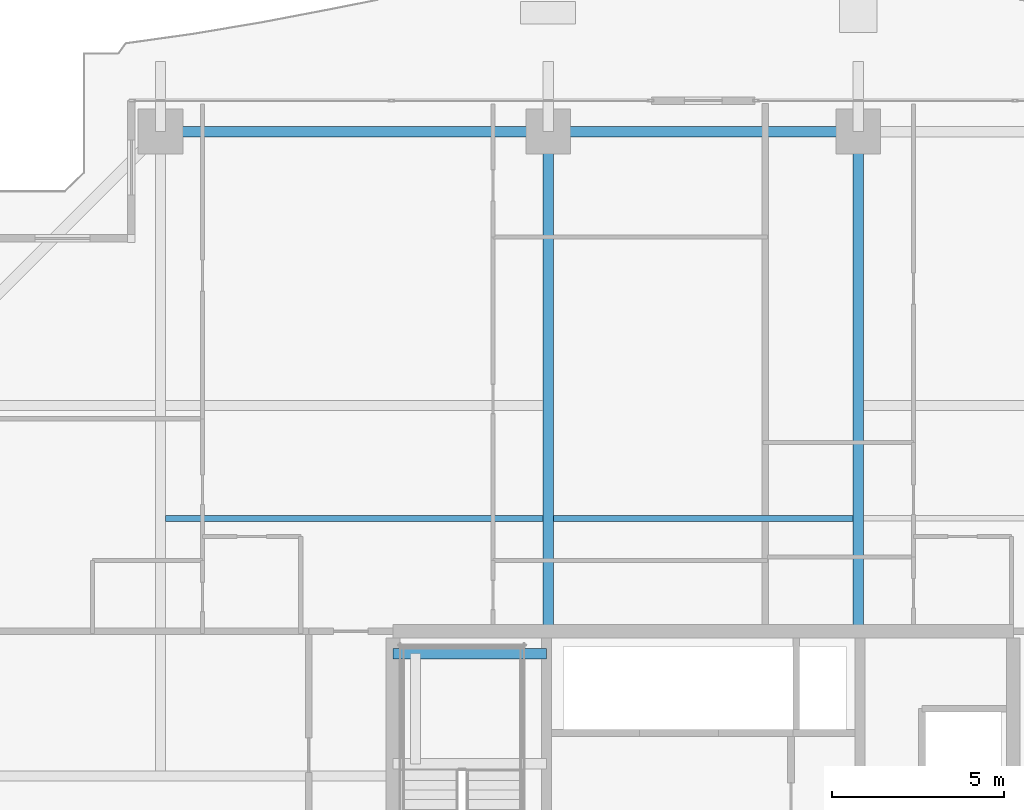
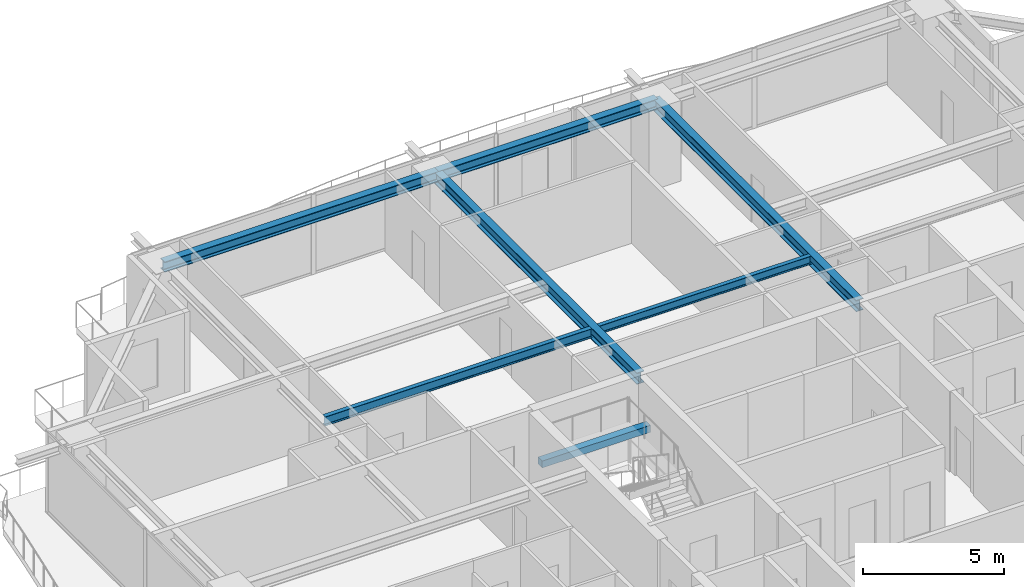
# One storey, part 20 of 38: 7 beams.
"""IFC4 building model written with IfcOpenShell, lengths in metres."""

import ifcopenshell
import ifcopenshell.guid

model = None  # the IFC model being written
_history = None  # IfcOwnerHistory: only IFC2X3 demands one
_inside = {}  # id of a spatial element -> (the spatial element, [elements in it])
_under = {}  # id of a project, library or spatial element -> (it, [spatial elements below it])
_declared = {}  # id of a project -> (the project, [libraries it declares])
_typed = {}  # id of a type object -> (the type object, [elements of that type])
_made_of = {}  # id of a material, layer set ... -> (it, [elements and type objects made of it])


def new_model(schema):
    """Start an empty IFC model of exactly this schema.

    Asked for "IFC4X3", IfcOpenShell would pick the latest addendum, in which some entities
    have other attributes; the version numbers below select the first issue.
    IFC2X3 requires an IfcOwnerHistory on every rooted entity: one is made here for all.
    """
    global model, _history
    if schema == "IFC4X3":
        model = ifcopenshell.file(schema_version=(4, 3, 0, 0))
    else:
        model = ifcopenshell.file(schema=schema)
    _inside.clear()
    _under.clear()
    _declared.clear()
    _typed.clear()
    _made_of.clear()
    _history = None
    if model.schema == "IFC2X3":
        org = make("IfcOrganization", Name="unknown")
        user = make(
            "IfcPersonAndOrganization",
            ThePerson=make("IfcPerson", FamilyName="unknown"),
            TheOrganization=org,
        )
        app = make(
            "IfcApplication",
            ApplicationDeveloper=org,
            Version="unknown",
            ApplicationFullName="unknown",
            ApplicationIdentifier="unknown",
        )
        _history = make(
            "IfcOwnerHistory",
            OwningUser=user,
            OwningApplication=app,
            ChangeAction="ADDED",
            CreationDate=0,
        )
    return model


def make(cls, **values):
    """One entity of the class cls with the attributes given. An attribute that is None is left unset."""
    return model.create_entity(
        cls, **{name: value for name, value in values.items() if value is not None}
    )


def rooted(cls, **values):
    """An entity with a GlobalId (a new one), such as an element, a storey or a relation."""
    return make(cls, GlobalId=ifcopenshell.guid.new(), OwnerHistory=_history, **values)


def si_unit(unit_type, name, prefix=None):
    """IfcSIUnit, for example si_unit("LENGTHUNIT", "METRE", prefix="MILLI")."""
    return make("IfcSIUnit", UnitType=unit_type, Prefix=prefix, Name=name)


def assignment(units):
    """IfcUnitAssignment: the units of a project."""
    return None if units is None else make("IfcUnitAssignment", Units=units)


def point(xyz):
    """IfcCartesianPoint."""
    return None if xyz is None else make("IfcCartesianPoint", Coordinates=xyz)


def direction(xyz):
    """IfcDirection."""
    return None if xyz is None else make("IfcDirection", DirectionRatios=xyz)


def frame(location, z_axis=None, x_axis=None):
    """IfcAxis2Placement3D, a coordinate frame: its origin and axes. An axis left out is left unset."""
    return make(
        "IfcAxis2Placement3D",
        Location=point(location),
        Axis=direction(z_axis),
        RefDirection=direction(x_axis),
    )


def frame_2d(location, x_axis=None):
    """IfcAxis2Placement2D, a coordinate frame in the plane: its origin and x axis."""
    return make(
        "IfcAxis2Placement2D", Location=point(location), RefDirection=direction(x_axis)
    )


def origin():
    """The frame at (0, 0, 0) with its axes left unset."""
    return frame((0.0, 0.0, 0.0))


def origin_2d():
    """The frame at (0, 0) in the plane with its x axis left unset."""
    return frame_2d((0.0, 0.0))


def place(relative_to, where):
    """IfcLocalPlacement: puts the frame where relative to a parent placement (None: the world)."""
    return make(
        "IfcLocalPlacement", PlacementRelTo=relative_to, RelativePlacement=where
    )


def context(
    kind, dimensions, precision=None, world=None, true_north=None, identifier=None
):
    """IfcGeometricRepresentationContext, for example the 3D "Model" context."""
    return make(
        "IfcGeometricRepresentationContext",
        ContextIdentifier=identifier,
        ContextType=kind,
        CoordinateSpaceDimension=dimensions,
        Precision=precision,
        WorldCoordinateSystem=world,
        TrueNorth=true_north,
    )


def subcontext(parent, identifier, kind, view, scale=None):
    """IfcGeometricRepresentationSubContext, for example "Body" below "Model"."""
    return make(
        "IfcGeometricRepresentationSubContext",
        ContextIdentifier=identifier,
        ContextType=kind,
        ParentContext=parent,
        TargetScale=scale,
        TargetView=view,
    )


def project(units=None, contexts=None):
    """IfcProject with its units and contexts."""
    return rooted(
        "IfcProject",
        Name="project",
        RepresentationContexts=contexts,
        UnitsInContext=assignment(units),
    )


def spatial(cls, under=None, at=None, **own):
    """A site, building, storey or space (cls), placed at a placement, below another one or the project."""
    s = rooted(cls, ObjectPlacement=at, **own)
    if under is not None:
        _under.setdefault(under.id(), (under, []))[1].append(s)
    return s


def profile(cls, at=None, kind="AREA", **sizes):
    """A parametric profile (cls). Its sizes go by their IFC names, for example OverallWidth=200.0."""
    return make(cls, ProfileType=kind, Position=at, **sizes)


def rectangle(**sizes):
    """IfcRectangleProfileDef."""
    return profile("IfcRectangleProfileDef", **sizes)


def i_section(**sizes):
    """IfcIShapeProfileDef."""
    return profile("IfcIShapeProfileDef", **sizes)


def extrude(swept, where, along, depth):
    """IfcExtrudedAreaSolid: the profile swept, set in the frame where, extruded along a direction by depth."""
    return make(
        "IfcExtrudedAreaSolid",
        SweptArea=swept,
        Position=where,
        ExtrudedDirection=direction(along),
        Depth=depth,
    )


def shape(context_of_items, identifier, shape_type, items):
    """IfcShapeRepresentation: the items that make up one representation, for example the "Body"."""
    return make(
        "IfcShapeRepresentation",
        ContextOfItems=context_of_items,
        RepresentationIdentifier=identifier,
        RepresentationType=shape_type,
        Items=items,
    )


def source(mapping_origin, context_of_items, identifier, shape_type, items):
    """IfcRepresentationMap: a shape defined once, which mapped items show again and again."""
    return make(
        "IfcRepresentationMap",
        MappingOrigin=mapping_origin,
        MappedRepresentation=shape(context_of_items, identifier, shape_type, items),
    )


def transform(
    local_origin,
    x_axis=None,
    y_axis=None,
    z_axis=None,
    scale=None,
    scale2=None,
    scale3=None,
    uniform=True,
):
    """IfcCartesianTransformationOperator3D, or its non-uniform kind. x_axis, y_axis, z_axis: its Axis1, 2, 3."""
    if uniform:
        return make(
            "IfcCartesianTransformationOperator3D",
            Axis1=direction(x_axis),
            Axis2=direction(y_axis),
            LocalOrigin=point(local_origin),
            Scale=scale,
            Axis3=direction(z_axis),
        )
    return make(
        "IfcCartesianTransformationOperator3DnonUniform",
        Axis1=direction(x_axis),
        Axis2=direction(y_axis),
        LocalOrigin=point(local_origin),
        Scale=scale,
        Axis3=direction(z_axis),
        Scale2=scale2,
        Scale3=scale3,
    )


def mapped(mapping_source, mapping_target):
    """IfcMappedItem: shows the shape of a source again, moved by a transform."""
    return make(
        "IfcMappedItem", MappingSource=mapping_source, MappingTarget=mapping_target
    )


def material(Name=None, Category=None):
    """IfcMaterial."""
    return make("IfcMaterial", Name=Name, Category=Category)


def material_profile(
    of_material, cross_section, Name=None, Category=None, Priority=None
):
    """IfcMaterialProfile: a cross section and its material."""
    return make(
        "IfcMaterialProfile",
        Name=Name,
        Material=of_material,
        Profile=cross_section,
        Priority=Priority,
        Category=Category,
    )


def profile_set(profiles, Name=None, composite=None):
    """IfcMaterialProfileSet."""
    return make(
        "IfcMaterialProfileSet",
        Name=Name,
        MaterialProfiles=profiles,
        CompositeProfile=composite,
    )


def made_of(thing, what):
    """Note that an element or type object is made of a material, layer set ...; save() writes the relation."""
    if what is not None:
        _made_of.setdefault(what.id(), (what, []))[1].append(thing)
    return thing


def type_object(cls, material=None, **own):
    """A type object (cls), such as IfcWallType, which elements share."""
    return made_of(rooted(cls, **own), material)


def element(
    cls,
    number,
    at=None,
    inside=None,
    cuts=None,
    type_object=None,
    material=None,
    context=None,
    identifier="Body",
    shape_type=None,
    held_by="IfcProductDefinitionShape",
    body=None,
    shapes=None,
    **own,
):
    """One element of the class cls, such as IfcWall. Its Tag is "e" and its number.

    at: its placement. inside: the storey or other place that contains it. cuts: it is an
    opening in that element (IfcRelVoidsElement). A single representation is given by context,
    identifier, shape_type and body (its items); several are given by shapes. held_by: the class
    of the entity that holds the representations. save() writes the other relations.
    """
    e = rooted(cls, Tag="e%d" % number, ObjectPlacement=at, **own)
    if body is not None:
        shapes = [shape(context, identifier, shape_type, body)]
    if shapes is not None:
        e.Representation = make(held_by, Representations=shapes)
    if inside is not None:
        _inside.setdefault(inside.id(), (inside, []))[1].append(e)
    if cuts is not None:
        rooted(
            "IfcRelVoidsElement", RelatingBuildingElement=cuts, RelatedOpeningElement=e
        )
    if type_object is not None:
        _typed.setdefault(type_object.id(), (type_object, []))[1].append(e)
    return made_of(e, material)


def aggregate(whole, parts):
    """IfcRelAggregates: a whole, such as a stair, and the parts it consists of."""
    return rooted("IfcRelAggregates", RelatingObject=whole, RelatedObjects=parts)


def save(model, path):
    """Write the relations noted so far, then the file.

    IfcRelAggregates (storeys below a building ...), IfcRelContainedInSpatialStructure (elements
    in a storey), IfcRelDefinesByType, IfcRelAssociatesMaterial and IfcRelDeclares: one each for
    every whole, place, type object, material and project.
    """
    for whole, parts in _under.values():
        aggregate(whole, parts)
    for where, things in _inside.values():
        rooted(
            "IfcRelContainedInSpatialStructure",
            RelatedElements=things,
            RelatingStructure=where,
        )
    for kind, things in _typed.values():
        rooted("IfcRelDefinesByType", RelatedObjects=things, RelatingType=kind)
    for what, things in _made_of.values():
        rooted("IfcRelAssociatesMaterial", RelatedObjects=things, RelatingMaterial=what)
    for by, libraries in _declared.values():
        rooted("IfcRelDeclares", RelatingContext=by, RelatedDefinitions=libraries)
    model.write(path)


model = new_model("IFC4")

# Units and contexts
model_context = context("Model", 3, precision=1e-05, world=origin(), true_north=direction((0.0, 1.0)))
body_context = subcontext(model_context, "Body", "Model", "MODEL_VIEW")
ifc_project = project(units=[si_unit("LENGTHUNIT", "METRE"), si_unit("AREAUNIT", "SQUARE_METRE"), si_unit("VOLUMEUNIT", "CUBIC_METRE"), si_unit("PLANEANGLEUNIT", "RADIAN"), si_unit("MASSUNIT", "GRAM", prefix="KILO")], contexts=[model_context])

# Site, building, storey
site_placement = place(None, origin())
site = spatial("IfcSite", under=ifc_project, at=site_placement, CompositionType="ELEMENT")
building_placement = place(site_placement, origin())
building = spatial("IfcBuilding", under=site, at=building_placement, Name="Serunith Strait Residences", CompositionType="ELEMENT")
storey_placement = place(building_placement, frame((0.0, 0.0, 183.89990234375)))
storey = spatial("IfcBuildingStorey", under=building, at=storey_placement, Name="L46", CompositionType="ELEMENT", Elevation=183.89990234375)

# Beams
ifc_material_1 = material(Name="Steel S355J2", Category="steel")
ifc_material_profile_1 = material_profile(ifc_material_1, i_section(OverallWidth=0.169921875, OverallDepth=0.360107421875, WebThickness=0.008056640625, FlangeThickness=0.0126953125, FilletRadius=0.01806640625, at=origin_2d()), Name="IPE 360")
ifc_profile_set_1 = profile_set([ifc_material_profile_1], Name="Steel S355J2")
beam_type_1 = type_object("IfcBeamType", Name="BM-IPE360", PredefinedType="JOIST", material=ifc_profile_set_1)
shared_shape_1 = source(origin(), body_context, "Body", "SweptSolid", [
    extrude(i_section(OverallWidth=0.169921875, OverallDepth=0.360107421875, WebThickness=0.008056640625, FlangeThickness=0.0126953125, FilletRadius=0.01806640625, at=origin_2d()), origin(), (0.0, 0.0, 1.0), 8.699951171875),
])
beam_1_placement = place(storey_placement, frame((28.050048828125, 36.875, 3.30712890625), z_axis=(1.0, 0.0, 0.0), x_axis=(0.0, 1.0, 0.0)))
element("IfcBeam", 1, at=beam_1_placement, inside=storey, type_object=beam_type_1, Name="L46 Composite Floor Joist 05", PredefinedType="JOIST", context=body_context, shape_type="MappedRepresentation", body=[
    mapped(shared_shape_1, transform((0.0, 0.0, 0.0), scale=1.0)),
])
ifc_material_profile_2 = material_profile(ifc_material_1, i_section(OverallWidth=0.300048828125, OverallDepth=0.449951171875, WebThickness=0.013916015625, FlangeThickness=0.02587890625, FilletRadius=0.027099609375, at=origin_2d()), Name="HEB 450")
ifc_profile_set_2 = profile_set([ifc_material_profile_2], Name="Steel S355J2")
beam_type_2 = type_object("IfcBeamType", Name="BM-HEB450", PredefinedType="BEAM", material=ifc_profile_set_2)
shared_shape_2 = source(origin(), body_context, "Body", "SweptSolid", [
    extrude(i_section(OverallWidth=0.300048828125, OverallDepth=0.449951171875, WebThickness=0.013916015625, FlangeThickness=0.02587890625, FilletRadius=0.027099609375, at=origin_2d()), origin(), (0.0, 0.0, 1.0), 9.0),
])
beam_2_placement = place(storey_placement, frame((36.89990234375, 48.10009765625, 3.26220703125), z_axis=(-1.0, 0.0, 0.0), x_axis=(0.0, -1.0, 0.0)))
element("IfcBeam", 2, at=beam_2_placement, inside=storey, type_object=beam_type_2, Name="L46 Perimeter Ring Beam 10", PredefinedType="BEAM", context=body_context, shape_type="MappedRepresentation", body=[
    mapped(shared_shape_2, transform((0.0, 0.0, 0.0), scale=1.0)),
])
ifc_material_profile_3 = material_profile(ifc_material_1, i_section(OverallWidth=0.300048828125, OverallDepth=0.5, WebThickness=0.014404296875, FlangeThickness=0.028076171875, FilletRadius=0.027099609375, at=origin_2d()), Name="HEB 500")
ifc_profile_set_3 = profile_set([ifc_material_profile_3], Name="Steel S355J2")
beam_type_3 = type_object("IfcBeamType", Name="BM-HEB500", PredefinedType="BEAM", material=ifc_profile_set_3)
shared_shape_3 = source(origin(), body_context, "Body", "SweptSolid", [
    extrude(i_section(OverallWidth=0.300048828125, OverallDepth=0.5, WebThickness=0.014404296875, FlangeThickness=0.028076171875, FilletRadius=0.027099609375, at=origin_2d()), origin(), (0.0, 0.0, 1.0), 14.5),
])
for number, where, z_axis, x_axis, name in (
    (3, (27.89990234375, 33.60009765625, 3.237060546875), (0.0, 1.0, 0.0), (-1.0, 0.0, 0.0), "L46 Primary Floor Girder TC-N2"),
    (4, (36.89990234375, 33.60009765625, 3.237060546875), (0.0, 1.0, 0.0), (-1.0, 0.0, 0.0), "L46 Primary Floor Girder TC-N3"),
):
    element("IfcBeam", number, at=place(storey_placement, frame(where, z_axis=z_axis, x_axis=x_axis)), inside=storey, type_object=beam_type_3, Name=name, PredefinedType="BEAM", context=body_context, shape_type="MappedRepresentation", body=[
        mapped(shared_shape_3, transform((0.0, 0.0, 0.0), scale=1.0)),
    ])
shared_shape_4 = source(origin(), body_context, "Body", "SweptSolid", [
    extrude(i_section(OverallWidth=0.300048828125, OverallDepth=0.449951171875, WebThickness=0.013916015625, FlangeThickness=0.02587890625, FilletRadius=0.027099609375, at=origin_2d()), origin(), (0.0, 0.0, 1.0), 11.25),
])
beam_3_placement = place(storey_placement, frame((27.89990234375, 48.10009765625, 3.26220703125), z_axis=(-1.0, 0.0, 0.0), x_axis=(0.0, -1.0, 0.0)))
element("IfcBeam", 5, at=beam_3_placement, inside=storey, type_object=beam_type_2, Name="L46 Perimeter Ring Beam 11", PredefinedType="BEAM", context=body_context, shape_type="MappedRepresentation", body=[
    mapped(shared_shape_4, transform((0.0, 0.0, 0.0), scale=1.0)),
])
ifc_material_profile_4 = material_profile(ifc_material_1, i_section(OverallWidth=0.179931640625, OverallDepth=0.39990234375, WebThickness=0.008544921875, FlangeThickness=0.013427734375, FilletRadius=0.02099609375, at=origin_2d()), Name="IPE 400")
ifc_profile_set_4 = profile_set([ifc_material_profile_4], Name="Steel S355J2")
beam_type_4 = type_object("IfcBeamType", Name="BM-IPE400", PredefinedType="JOIST", material=ifc_profile_set_4)
shared_shape_5 = source(origin(), body_context, "Body", "SweptSolid", [
    extrude(i_section(OverallWidth=0.179931640625, OverallDepth=0.39990234375, WebThickness=0.008544921875, FlangeThickness=0.013427734375, FilletRadius=0.02099609375, at=origin_2d()), origin(), (0.0, 0.0, 1.0), 10.949951171875),
])
beam_4_placement = place(storey_placement, frame((16.800048828125, 36.875, 3.287109375), z_axis=(1.0, 0.0, 0.0), x_axis=(0.0, 1.0, 0.0)))
element("IfcBeam", 6, at=beam_4_placement, inside=storey, type_object=beam_type_4, Name="L46 Composite Floor Joist 04", PredefinedType="JOIST", context=body_context, shape_type="MappedRepresentation", body=[
    mapped(shared_shape_5, transform((0.0, 0.0, 0.0), scale=1.0)),
])
ifc_material_2 = material(Name="Concrete C60/75", Category="concrete")
ifc_material_profile_5 = material_profile(ifc_material_2, rectangle(XDim=0.300048828125, YDim=0.300048828125, at=origin_2d()), Name="RC 300x300")
ifc_profile_set_5 = profile_set([ifc_material_profile_5], Name="Concrete C60/75")
beam_type_5 = type_object("IfcBeamType", Name="BM-LAND-300x300", PredefinedType="BEAM", material=ifc_profile_set_5)
shared_shape_6 = source(origin(), body_context, "Body", "SweptSolid", [
    extrude(rectangle(XDim=0.300048828125, YDim=0.300048828125, at=origin_2d()), origin(), (0.0, 0.0, 1.0), 4.4501953125),
])
beam_5_placement = place(storey_placement, frame((23.39990234375, 32.949951171875, 1.525146484375), z_axis=(1.0, 0.0, 0.0), x_axis=(0.0, 1.0, 0.0)))
element("IfcBeam", 7, at=beam_5_placement, inside=storey, type_object=beam_type_5, Name="L46 ST-1 Landing Support Beam 2", PredefinedType="BEAM", context=body_context, shape_type="MappedRepresentation", body=[
    mapped(shared_shape_6, transform((0.0, 0.0, 0.0), scale=1.0)),
])

save(model, "model.ifc")
